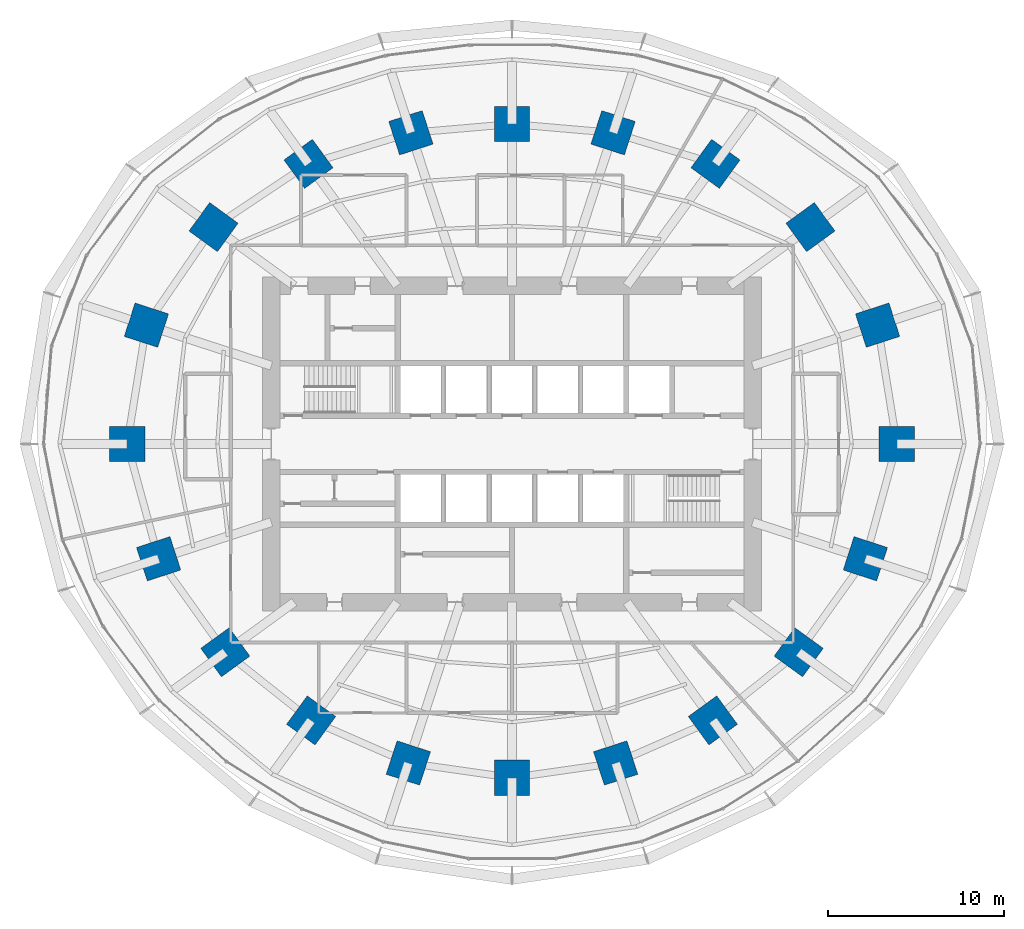
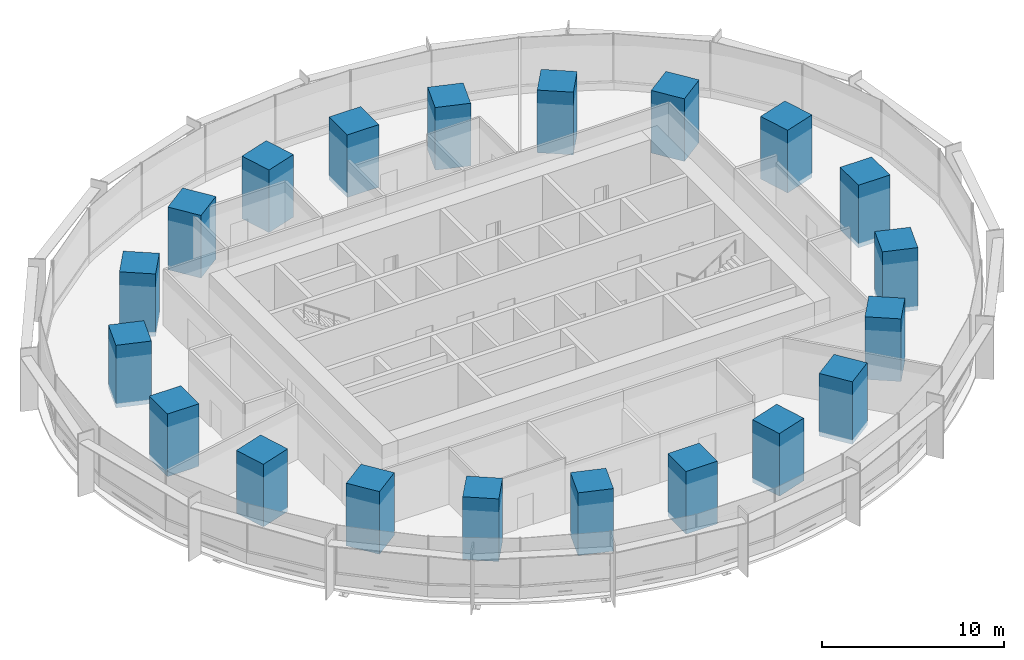
# One storey, part 1 of 15: 20 columns.
"""IFC4 building model written with IfcOpenShell, lengths in metres."""

from ifc_helpers import new_model, si_unit, direction, frame, origin, origin_2d, place, context, subcontext, project, spatial, rectangle, extrude, material, material_profile, profile_set, type_object, element, save


model = new_model("IFC4")

# Units and contexts
model_context = context("Model", 3, precision=1e-05, world=origin(), true_north=direction((0.0, 1.0)))
body_context = subcontext(model_context, "Body", "Model", "MODEL_VIEW")
ifc_project = project(units=[si_unit("LENGTHUNIT", "METRE"), si_unit("AREAUNIT", "SQUARE_METRE"), si_unit("VOLUMEUNIT", "CUBIC_METRE"), si_unit("PLANEANGLEUNIT", "RADIAN"), si_unit("MASSUNIT", "GRAM", prefix="KILO")], contexts=[model_context])

# Site, building, storey
site_placement = place(None, origin())
site = spatial("IfcSite", under=ifc_project, at=site_placement, CompositionType="ELEMENT")
building_placement = place(site_placement, origin())
building = spatial("IfcBuilding", under=site, at=building_placement, Name="Marramba Exchange Tower", CompositionType="ELEMENT")
storey_placement = place(building_placement, frame((0.0, 0.0, 53.199951171875)))
storey = spatial("IfcBuildingStorey", under=building, at=storey_placement, Name="L12", CompositionType="ELEMENT", Elevation=53.199951171875)

# Columns
ifc_material = material(Name="Concrete N50", Category="concrete")
ifc_material_profile = material_profile(ifc_material, rectangle(XDim=2.0, YDim=2.0, at=origin_2d()), Name="RC 2000x2000")
ifc_profile_set = profile_set([ifc_material_profile], Name="Concrete N50")
column_type = type_object("IfcColumnType", Name="Perimeter column RC 2000x2000 N50", PredefinedType="COLUMN", material=ifc_profile_set)
for number, where, z_axis, x_axis, name in (
    (1, (21.89990234375, 0.0, 0.0), (0.0, 0.0, 1.0), (1.0, 0.0, 0.0), "Column TC01 L12"),
    (2, (20.808349609375, 6.760986328125, 0.0), (0.0, 0.0, 1.0), (0.951056516295, 0.309016994375, 0.0), "Column TC02 L12"),
    (3, (16.98583984375, 12.3408203125, 0.0), (0.0, 0.0, 1.0), (0.809016994375, 0.587785252292, 0.0), "Column TC03 L12"),
    (4, (11.581298828125, 15.9404296875, 0.0), (0.0, 0.0, 1.0), (0.587785252292, 0.809016994375, 0.0), "Column TC04 L12"),
    (5, (5.75390625, 17.70849609375, 0.0), (0.0, 0.0, 1.0), (0.309016994375, 0.951056516295, 0.0), "Column TC05 L12"),
    (6, (0.0, 18.2041015625, 0.0), (0.0, 0.0, 1.0), (0.0, 1.0, 0.0), "Column TC06 L12"),
    (7, (-5.75390625, 17.70849609375, 0.0), (0.0, 0.0, 1.0), (-0.309016994375, 0.951056516295, 0.0), "Column TC07 L12"),
    (8, (-11.581298828125, 15.9404296875, 0.0), (0.0, 0.0, 1.0), (-0.587785252292, 0.809016994375, 0.0), "Column TC08 L12"),
    (9, (-16.98583984375, 12.3408203125, 0.0), (0.0, 0.0, 1.0), (-0.809016994375, 0.587785252292, 0.0), "Column TC09 L12"),
    (10, (-20.808349609375, 6.760986328125, 0.0), (0.0, 0.0, 1.0), (-0.951056516295, 0.309016994375, 0.0), "Column TC10 L12"),
    (11, (-21.89990234375, 0.0, 0.0), (0.0, 0.0, 1.0), (-1.0, 0.0, 0.0), "Column TC11 L12"),
    (12, (-20.109375, -6.533935546875, 0.0), (0.0, 0.0, 1.0), (-0.951056516295, -0.309016994375, 0.0), "Column TC12 L12"),
    (13, (-16.3154296875, -11.853759765625, 0.0), (0.0, 0.0, 1.0), (-0.809016994375, -0.587785252292, 0.0), "Column TC13 L12"),
    (14, (-11.430419921875, -15.732666015625, 0.0), (0.0, 0.0, 1.0), (-0.587785252292, -0.809016994375, 0.0), "Column TC14 L12"),
    (15, (-5.899658203125, -18.156982421875, 0.0), (0.0, 0.0, 1.0), (-0.309016994375, -0.951056516295, 0.0), "Column TC15 L12"),
    (16, (0.0, -18.99609375, 0.0), (0.0, 0.0, 1.0), (0.0, -1.0, 0.0), "Column TC16 L12"),
    (17, (5.899658203125, -18.156982421875, 0.0), (0.0, 0.0, 1.0), (0.309016994375, -0.951056516295, 0.0), "Column TC17 L12"),
    (18, (11.430419921875, -15.732666015625, 0.0), (0.0, 0.0, 1.0), (0.587785252292, -0.809016994375, 0.0), "Column TC18 L12"),
    (19, (16.3154296875, -11.853759765625, 0.0), (0.0, 0.0, 1.0), (0.809016994375, -0.587785252292, 0.0), "Column TC19 L12"),
    (20, (20.109375, -6.533935546875, 0.0), (0.0, 0.0, 1.0), (0.951056516295, -0.309016994375, 0.0), "Column TC20 L12"),
):
    element("IfcColumn", number, at=place(storey_placement, frame(where, z_axis=z_axis, x_axis=x_axis)), inside=storey, type_object=column_type, Name=name, PredefinedType="COLUMN", context=body_context, shape_type="SweptSolid", body=[
        extrude(rectangle(XDim=2.0, YDim=2.0, at=origin_2d()), origin(), (0.0, 0.0, 1.0), 4.199951171875),
    ])

save(model, "model.ifc")
